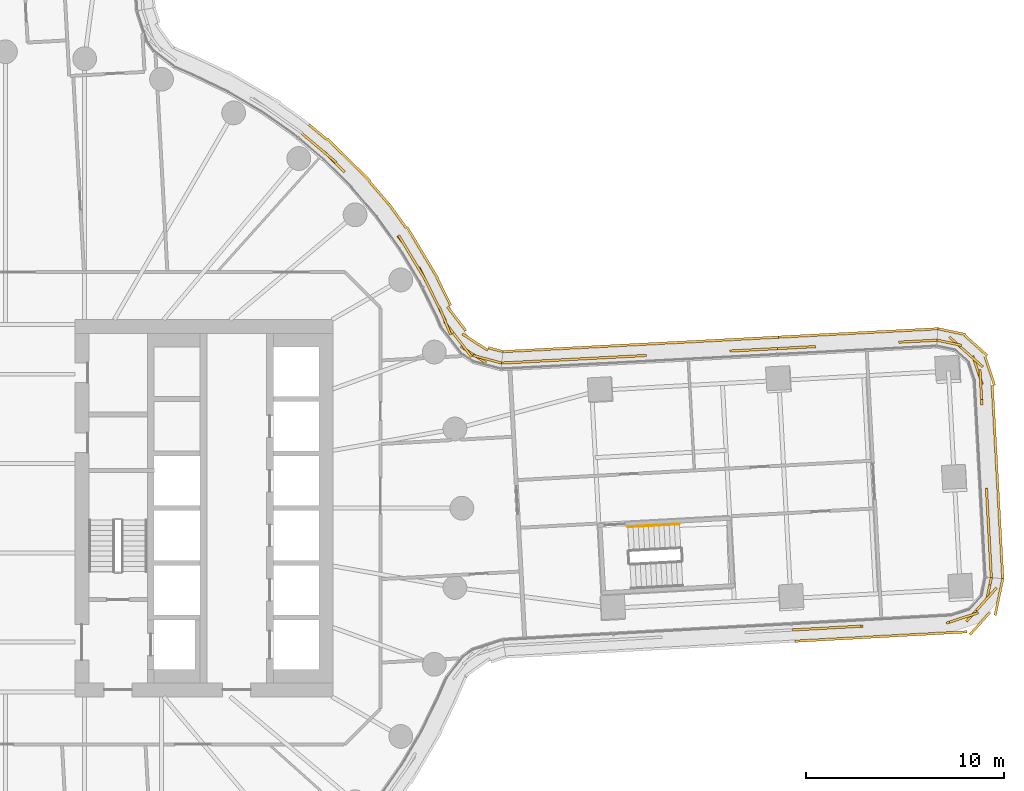
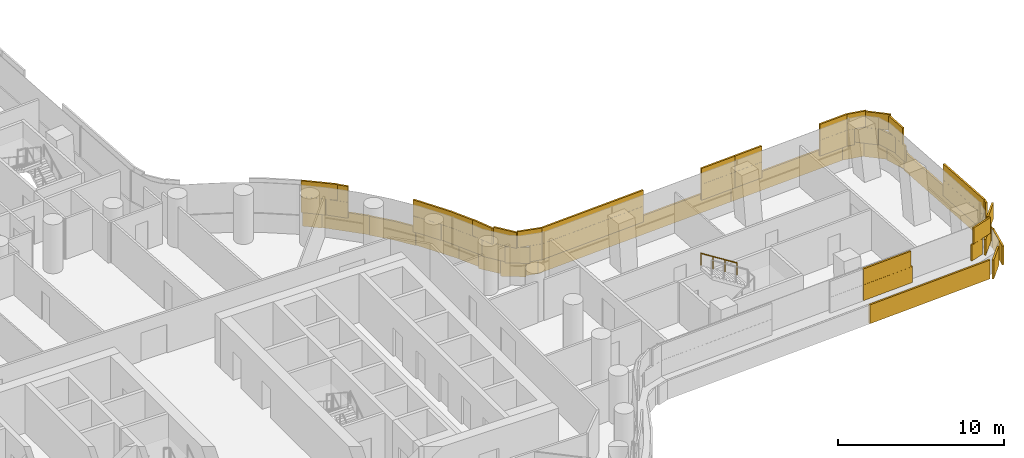
# One storey, part 29 of 31: 5 coverings, 1 railing.
"""IFC4 building model written with IfcOpenShell, lengths in metres."""

import ifcopenshell
import ifcopenshell.guid

model = None  # the IFC model being written
_history = None  # IfcOwnerHistory: only IFC2X3 demands one
_inside = {}  # id of a spatial element -> (the spatial element, [elements in it])
_under = {}  # id of a project, library or spatial element -> (it, [spatial elements below it])
_declared = {}  # id of a project -> (the project, [libraries it declares])
_typed = {}  # id of a type object -> (the type object, [elements of that type])
_made_of = {}  # id of a material, layer set ... -> (it, [elements and type objects made of it])


def new_model(schema):
    """Start an empty IFC model of exactly this schema.

    Asked for "IFC4X3", IfcOpenShell would pick the latest addendum, in which some entities
    have other attributes; the version numbers below select the first issue.
    IFC2X3 requires an IfcOwnerHistory on every rooted entity: one is made here for all.
    """
    global model, _history
    if schema == "IFC4X3":
        model = ifcopenshell.file(schema_version=(4, 3, 0, 0))
    else:
        model = ifcopenshell.file(schema=schema)
    _inside.clear()
    _under.clear()
    _declared.clear()
    _typed.clear()
    _made_of.clear()
    _history = None
    if model.schema == "IFC2X3":
        org = make("IfcOrganization", Name="unknown")
        user = make(
            "IfcPersonAndOrganization",
            ThePerson=make("IfcPerson", FamilyName="unknown"),
            TheOrganization=org,
        )
        app = make(
            "IfcApplication",
            ApplicationDeveloper=org,
            Version="unknown",
            ApplicationFullName="unknown",
            ApplicationIdentifier="unknown",
        )
        _history = make(
            "IfcOwnerHistory",
            OwningUser=user,
            OwningApplication=app,
            ChangeAction="ADDED",
            CreationDate=0,
        )
    return model


def make(cls, **values):
    """One entity of the class cls with the attributes given. An attribute that is None is left unset."""
    return model.create_entity(
        cls, **{name: value for name, value in values.items() if value is not None}
    )


def rooted(cls, **values):
    """An entity with a GlobalId (a new one), such as an element, a storey or a relation."""
    return make(cls, GlobalId=ifcopenshell.guid.new(), OwnerHistory=_history, **values)


def si_unit(unit_type, name, prefix=None):
    """IfcSIUnit, for example si_unit("LENGTHUNIT", "METRE", prefix="MILLI")."""
    return make("IfcSIUnit", UnitType=unit_type, Prefix=prefix, Name=name)


def assignment(units):
    """IfcUnitAssignment: the units of a project."""
    return None if units is None else make("IfcUnitAssignment", Units=units)


def point(xyz):
    """IfcCartesianPoint."""
    return None if xyz is None else make("IfcCartesianPoint", Coordinates=xyz)


def direction(xyz):
    """IfcDirection."""
    return None if xyz is None else make("IfcDirection", DirectionRatios=xyz)


def frame(location, z_axis=None, x_axis=None):
    """IfcAxis2Placement3D, a coordinate frame: its origin and axes. An axis left out is left unset."""
    return make(
        "IfcAxis2Placement3D",
        Location=point(location),
        Axis=direction(z_axis),
        RefDirection=direction(x_axis),
    )


def frame_2d(location, x_axis=None):
    """IfcAxis2Placement2D, a coordinate frame in the plane: its origin and x axis."""
    return make(
        "IfcAxis2Placement2D", Location=point(location), RefDirection=direction(x_axis)
    )


def origin():
    """The frame at (0, 0, 0) with its axes left unset."""
    return frame((0.0, 0.0, 0.0))


def origin_2d():
    """The frame at (0, 0) in the plane with its x axis left unset."""
    return frame_2d((0.0, 0.0))


def place(relative_to, where):
    """IfcLocalPlacement: puts the frame where relative to a parent placement (None: the world)."""
    return make(
        "IfcLocalPlacement", PlacementRelTo=relative_to, RelativePlacement=where
    )


def context(
    kind, dimensions, precision=None, world=None, true_north=None, identifier=None
):
    """IfcGeometricRepresentationContext, for example the 3D "Model" context."""
    return make(
        "IfcGeometricRepresentationContext",
        ContextIdentifier=identifier,
        ContextType=kind,
        CoordinateSpaceDimension=dimensions,
        Precision=precision,
        WorldCoordinateSystem=world,
        TrueNorth=true_north,
    )


def subcontext(parent, identifier, kind, view, scale=None):
    """IfcGeometricRepresentationSubContext, for example "Body" below "Model"."""
    return make(
        "IfcGeometricRepresentationSubContext",
        ContextIdentifier=identifier,
        ContextType=kind,
        ParentContext=parent,
        TargetScale=scale,
        TargetView=view,
    )


def project(units=None, contexts=None):
    """IfcProject with its units and contexts."""
    return rooted(
        "IfcProject",
        Name="project",
        RepresentationContexts=contexts,
        UnitsInContext=assignment(units),
    )


def spatial(cls, under=None, at=None, **own):
    """A site, building, storey or space (cls), placed at a placement, below another one or the project."""
    s = rooted(cls, ObjectPlacement=at, **own)
    if under is not None:
        _under.setdefault(under.id(), (under, []))[1].append(s)
    return s


def profile(cls, at=None, kind="AREA", **sizes):
    """A parametric profile (cls). Its sizes go by their IFC names, for example OverallWidth=200.0."""
    return make(cls, ProfileType=kind, Position=at, **sizes)


def rectangle(**sizes):
    """IfcRectangleProfileDef."""
    return profile("IfcRectangleProfileDef", **sizes)


def circle(**sizes):
    """IfcCircleProfileDef."""
    return profile("IfcCircleProfileDef", **sizes)


def extrude(swept, where, along, depth):
    """IfcExtrudedAreaSolid: the profile swept, set in the frame where, extruded along a direction by depth."""
    return make(
        "IfcExtrudedAreaSolid",
        SweptArea=swept,
        Position=where,
        ExtrudedDirection=direction(along),
        Depth=depth,
    )


def shape(context_of_items, identifier, shape_type, items):
    """IfcShapeRepresentation: the items that make up one representation, for example the "Body"."""
    return make(
        "IfcShapeRepresentation",
        ContextOfItems=context_of_items,
        RepresentationIdentifier=identifier,
        RepresentationType=shape_type,
        Items=items,
    )


def material(Name=None, Category=None):
    """IfcMaterial."""
    return make("IfcMaterial", Name=Name, Category=Category)


def layer(
    of_material, thickness, ventilated=None, Name=None, Category=None, Priority=None
):
    """IfcMaterialLayer: one layer of a wall or slab, of a material (None: an air gap)."""
    return make(
        "IfcMaterialLayer",
        Material=of_material,
        LayerThickness=thickness,
        IsVentilated=ventilated,
        Name=Name,
        Category=Category,
        Priority=Priority,
    )


def layer_set(layers, Name=None):
    """IfcMaterialLayerSet."""
    return make("IfcMaterialLayerSet", MaterialLayers=layers, LayerSetName=Name)


def made_of(thing, what):
    """Note that an element or type object is made of a material, layer set ...; save() writes the relation."""
    if what is not None:
        _made_of.setdefault(what.id(), (what, []))[1].append(thing)
    return thing


def type_object(cls, material=None, **own):
    """A type object (cls), such as IfcWallType, which elements share."""
    return made_of(rooted(cls, **own), material)


def element(
    cls,
    number,
    at=None,
    inside=None,
    cuts=None,
    type_object=None,
    material=None,
    context=None,
    identifier="Body",
    shape_type=None,
    held_by="IfcProductDefinitionShape",
    body=None,
    shapes=None,
    **own,
):
    """One element of the class cls, such as IfcWall. Its Tag is "e" and its number.

    at: its placement. inside: the storey or other place that contains it. cuts: it is an
    opening in that element (IfcRelVoidsElement). A single representation is given by context,
    identifier, shape_type and body (its items); several are given by shapes. held_by: the class
    of the entity that holds the representations. save() writes the other relations.
    """
    e = rooted(cls, Tag="e%d" % number, ObjectPlacement=at, **own)
    if body is not None:
        shapes = [shape(context, identifier, shape_type, body)]
    if shapes is not None:
        e.Representation = make(held_by, Representations=shapes)
    if inside is not None:
        _inside.setdefault(inside.id(), (inside, []))[1].append(e)
    if cuts is not None:
        rooted(
            "IfcRelVoidsElement", RelatingBuildingElement=cuts, RelatedOpeningElement=e
        )
    if type_object is not None:
        _typed.setdefault(type_object.id(), (type_object, []))[1].append(e)
    return made_of(e, material)


def aggregate(whole, parts):
    """IfcRelAggregates: a whole, such as a stair, and the parts it consists of."""
    return rooted("IfcRelAggregates", RelatingObject=whole, RelatedObjects=parts)


def save(model, path):
    """Write the relations noted so far, then the file.

    IfcRelAggregates (storeys below a building ...), IfcRelContainedInSpatialStructure (elements
    in a storey), IfcRelDefinesByType, IfcRelAssociatesMaterial and IfcRelDeclares: one each for
    every whole, place, type object, material and project.
    """
    for whole, parts in _under.values():
        aggregate(whole, parts)
    for where, things in _inside.values():
        rooted(
            "IfcRelContainedInSpatialStructure",
            RelatedElements=things,
            RelatingStructure=where,
        )
    for kind, things in _typed.values():
        rooted("IfcRelDefinesByType", RelatedObjects=things, RelatingType=kind)
    for what, things in _made_of.values():
        rooted("IfcRelAssociatesMaterial", RelatedObjects=things, RelatingMaterial=what)
    for by, libraries in _declared.values():
        rooted("IfcRelDeclares", RelatingContext=by, RelatedDefinitions=libraries)
    model.write(path)


model = new_model("IFC4")

# Units and contexts
model_context = context("Model", 3, precision=1e-05, world=origin(), true_north=direction((0.0, 1.0)))
body_context = subcontext(model_context, "Body", "Model", "MODEL_VIEW")
ifc_project = project(units=[si_unit("LENGTHUNIT", "METRE"), si_unit("AREAUNIT", "SQUARE_METRE"), si_unit("VOLUMEUNIT", "CUBIC_METRE"), si_unit("PLANEANGLEUNIT", "RADIAN"), si_unit("MASSUNIT", "GRAM", prefix="KILO")], contexts=[model_context])

# Site, building, storey
site_placement = place(None, origin())
site = spatial("IfcSite", under=ifc_project, at=site_placement, CompositionType="ELEMENT")
building_placement = place(site_placement, origin())
building = spatial("IfcBuilding", under=site, at=building_placement, Name="Tamarind Cross Interchange Tower", CompositionType="ELEMENT")
storey_placement = place(building_placement, frame((0.0, 0.0, 45.25)))
storey = spatial("IfcBuildingStorey", under=building, at=storey_placement, Name="L09", CompositionType="ELEMENT", Elevation=45.25)

# Railing
ifc_material_1 = material(Name="Stair handrail")
railing_type = type_object("IfcRailingType", Name="Stair handrail", PredefinedType="HANDRAIL", material=ifc_material_1)
railing_placement = place(storey_placement, frame((33.96142578125, -0.797119140625, 2.04541015625)))
element("IfcRailing", 1, at=railing_placement, inside=storey, type_object=railing_type, Name="L09 ST3 stair handrail 2", PredefinedType="HANDRAIL", context=body_context, shape_type="SweptSolid", body=[
    extrude(circle(Radius=0.02392578125, at=origin_2d()), frame((0.0, 0.0, 0.8759765625), z_axis=(-0.835026710891, -0.04570540259, 0.54830776784), x_axis=(0.054653449926, -0.998505383266, 0.0)), (0.0, 0.0, 1.0), 3.10888671875),
    extrude(circle(Radius=0.02099609375, at=origin_2d()), origin(), (0.0, 0.0, 1.0), 0.851806640625),
    extrude(circle(Radius=0.02099609375, at=origin_2d()), frame((-0.865234375, -0.04736328125, 0.568115234375)), (0.0, 0.0, 1.0), 0.851806640625),
    extrude(circle(Radius=0.02099609375, at=origin_2d()), frame((-1.730712890625, -0.0947265625, 1.136474609375)), (0.0, 0.0, 1.0), 0.851806640625),
    extrude(circle(Radius=0.02099609375, at=origin_2d()), frame((-2.595947265625, -0.14208984375, 1.70458984375)), (0.0, 0.0, 1.0), 0.851806640625),
])

# Coverings
ifc_material_2 = material(Name="Terracotta", Category="masonry")
ifc_layer = layer(ifc_material_2, 0.1201171875)
ifc_layer_set = layer_set([ifc_layer], Name="Terracotta")
covering_type = type_object("IfcCoveringType", Name="Terracotta baguette screen unit", PredefinedType="MOLDING", material=ifc_layer_set)
covering_1_placement = place(storey_placement, origin())
element("IfcCovering", 2, at=covering_1_placement, inside=storey, type_object=covering_type, Name="SCR-L09-07-01", PredefinedType="MOLDING", context=body_context, shape_type="SweptSolid", body=[
    extrude(rectangle(XDim=1.1796875, YDim=0.1201171875, at=origin_2d()), frame((40.257568359375, -6.100830078125, 1.404052734375), z_axis=(0.0, 0.0, 1.0), x_axis=(0.998504021801, 0.054678317891, 0.0)), (0.0, 0.0, 1.0), 1.1669921875),
    extrude(rectangle(XDim=1.52001953125, YDim=0.1201171875, at=origin_2d()), frame((41.59033203125, -6.02783203125, 1.404052734375), z_axis=(0.0, 0.0, 1.0), x_axis=(0.998504021801, 0.054678317891, 0.0)), (0.0, 0.0, 1.0), 1.1669921875),
    extrude(rectangle(XDim=0.881103515625, YDim=0.1201171875, at=origin_2d()), frame((42.774169921875, -5.963134765625, 1.404052734375), z_axis=(0.0, 0.0, 1.0), x_axis=(0.998504021801, 0.054678317891, 0.0)), (0.0, 0.0, 1.0), 1.1669921875),
    extrude(rectangle(XDim=0.93896484375, YDim=0.1201171875, at=origin_2d()), frame((47.859375, -5.645751953125, 1.404052734375), z_axis=(0.0, 0.0, 1.0), x_axis=(0.950329032287, 0.311247056843, 0.0)), (0.0, 0.0, 1.0), 1.1669921875),
    extrude(rectangle(XDim=1.52001953125, YDim=0.1201171875, at=origin_2d()), frame((48.9306640625, -5.140625, 1.404052734375), z_axis=(0.0, 0.0, 1.0), x_axis=(0.667385555493, 0.744712374222, 0.0)), (0.0, 0.0, 1.0), 1.1669921875),
    extrude(rectangle(XDim=1.121826171875, YDim=0.1201171875, at=origin_2d()), frame((49.564208984375, -4.047607421875, 1.404052734375), z_axis=(0.0, 0.0, 1.0), x_axis=(0.205616658064, 0.978632612335, 0.0)), (0.0, 0.0, 1.0), 1.1669921875),
    extrude(rectangle(XDim=0.4296875, YDim=0.1201171875, at=origin_2d()), frame((39.883056640625, -6.121337890625, 2.5791015625), z_axis=(0.0, 0.0, 1.0), x_axis=(0.998504021801, 0.054678317891, 0.0)), (0.0, 0.0, 1.0), 1.1669921875),
    extrude(rectangle(XDim=1.52001953125, YDim=0.1201171875, at=origin_2d()), frame((40.841552734375, -6.06884765625, 2.5791015625), z_axis=(0.0, 0.0, 1.0), x_axis=(0.998504021801, 0.054678317891, 0.0)), (0.0, 0.0, 1.0), 1.1669921875),
    extrude(rectangle(XDim=1.52001953125, YDim=0.1201171875, at=origin_2d()), frame((42.33935546875, -5.98681640625, 2.5791015625), z_axis=(0.0, 0.0, 1.0), x_axis=(0.998504021801, 0.054678317891, 0.0)), (0.0, 0.0, 1.0), 1.1669921875),
    extrude(rectangle(XDim=1.52001953125, YDim=0.1201171875, at=origin_2d()), frame((48.30078125, -5.501220703125, 2.5791015625), z_axis=(0.0, 0.0, 1.0), x_axis=(0.950329032287, 0.311247056843, 0.0)), (0.0, 0.0, 1.0), 1.1669921875),
    extrude(rectangle(XDim=1.52001953125, YDim=0.1201171875, at=origin_2d()), frame((49.43115234375, -4.582275390625, 2.5791015625), z_axis=(0.0, 0.0, 1.0), x_axis=(0.667385555493, 0.744712374222, 0.0)), (0.0, 0.0, 1.0), 1.1669921875),
    extrude(rectangle(XDim=0.371826171875, YDim=0.1201171875, at=origin_2d()), frame((49.64111328125, -3.6806640625, 2.5791015625), z_axis=(0.0, 0.0, 1.0), x_axis=(0.205616658064, 0.978632612335, 0.0)), (0.0, 0.0, 1.0), 1.1669921875),
    extrude(rectangle(XDim=1.179443359375, YDim=0.1201171875, at=origin_2d()), frame((40.368896484375, -6.669677734375, 0.00390625), z_axis=(0.0, 0.0, 1.0), x_axis=(0.998504021801, 0.054678317891, 0.0)), (0.0, 0.0, 1.0), 1.39208984375),
    extrude(rectangle(XDim=1.52001953125, YDim=0.1201171875, at=origin_2d()), frame((41.69677734375, -6.596923828125, 0.00390625), z_axis=(0.0, 0.0, 1.0), x_axis=(0.998504021801, 0.054678317891, 0.0)), (0.0, 0.0, 1.0), 1.39208984375),
    extrude(rectangle(XDim=1.52001953125, YDim=0.1201171875, at=origin_2d()), frame((43.194580078125, -6.514892578125, 0.00390625), z_axis=(0.0, 0.0, 1.0), x_axis=(0.998504021801, 0.054678317891, 0.0)), (0.0, 0.0, 1.0), 1.39208984375),
    extrude(rectangle(XDim=1.52001953125, YDim=0.1201171875, at=origin_2d()), frame((44.692138671875, -6.432861328125, 0.00390625), z_axis=(0.0, 0.0, 1.0), x_axis=(0.998504021801, 0.054678317891, 0.0)), (0.0, 0.0, 1.0), 1.39208984375),
    extrude(rectangle(XDim=1.52001953125, YDim=0.1201171875, at=origin_2d()), frame((46.18994140625, -6.350830078125, 0.00390625), z_axis=(0.0, 0.0, 1.0), x_axis=(0.998504021801, 0.054678317891, 0.0)), (0.0, 0.0, 1.0), 1.39208984375),
    extrude(rectangle(XDim=1.52001953125, YDim=0.1201171875, at=origin_2d()), frame((47.687744140625, -6.268798828125, 0.00390625), z_axis=(0.0, 0.0, 1.0), x_axis=(0.998504021801, 0.054678317891, 0.0)), (0.0, 0.0, 1.0), 1.39208984375),
    extrude(rectangle(XDim=1.52001953125, YDim=0.1201171875, at=origin_2d()), frame((49.10205078125, -5.8095703125, 0.00390625), z_axis=(0.0, 0.0, 1.0), x_axis=(0.667385555493, 0.744712374222, 0.0)), (0.0, 0.0, 1.0), 1.39208984375),
    extrude(rectangle(XDim=1.52001953125, YDim=0.1201171875, at=origin_2d()), frame((50.023681640625, -4.65234375, 0.00390625), z_axis=(0.0, 0.0, 1.0), x_axis=(0.205616658064, 0.978632612335, 0.0)), (0.0, 0.0, 1.0), 1.39208984375),
    extrude(rectangle(XDim=0.388671875, YDim=0.1201171875, at=origin_2d()), frame((50.2158203125, -3.738037109375, 0.00390625), z_axis=(0.0, 0.0, 1.0), x_axis=(0.205616658064, 0.978632612335, 0.0)), (0.0, 0.0, 1.0), 1.39208984375),
])
covering_2_placement = place(storey_placement, origin())
element("IfcCovering", 3, at=covering_2_placement, inside=storey, type_object=covering_type, Name="SCR-L09-08-00", PredefinedType="MOLDING", context=body_context, shape_type="SweptSolid", body=[
    extrude(rectangle(XDim=0.760009765625, YDim=0.1201171875, at=origin_2d()), frame((49.657958984375, -3.129150390625, 1.404052734375), z_axis=(0.0, 0.0, 1.0), x_axis=(-0.054678317891, 0.998504021801, 0.0)), (0.0, 0.0, 1.0), 1.1669921875),
    extrude(rectangle(XDim=1.52001953125, YDim=0.1201171875, at=origin_2d()), frame((49.596435546875, -2.005859375, 1.404052734375), z_axis=(0.0, 0.0, 1.0), x_axis=(-0.054678317891, 0.998504021801, 0.0)), (0.0, 0.0, 1.0), 1.1669921875),
    extrude(rectangle(XDim=1.52001953125, YDim=0.1201171875, at=origin_2d()), frame((49.514404296875, -0.508056640625, 1.404052734375), z_axis=(0.0, 0.0, 1.0), x_axis=(-0.054678317891, 0.998504021801, 0.0)), (0.0, 0.0, 1.0), 1.1669921875),
    extrude(rectangle(XDim=0.784912109375, YDim=0.1201171875, at=origin_2d()), frame((49.4521484375, 0.62744140625, 1.404052734375), z_axis=(0.0, 0.0, 1.0), x_axis=(-0.054678317891, 0.998504021801, 0.0)), (0.0, 0.0, 1.0), 1.1669921875),
    extrude(rectangle(XDim=1.03515625, YDim=0.1201171875, at=origin_2d()), frame((49.17333984375, 5.719970703125, 1.404052734375), z_axis=(0.0, 0.0, 1.0), x_axis=(-0.054678317891, 0.998504021801, 0.0)), (0.0, 0.0, 1.0), 1.1669921875),
    extrude(rectangle(XDim=1.52001953125, YDim=0.1201171875, at=origin_2d()), frame((48.982177734375, 6.957763671875, 1.404052734375), z_axis=(0.0, 0.0, 1.0), x_axis=(-0.311247056843, 0.950329032287, 0.0)), (0.0, 0.0, 1.0), 1.1669921875),
    extrude(rectangle(XDim=1.52001953125, YDim=0.1201171875, at=origin_2d()), frame((48.122802734375, 8.127197265625, 1.404052734375), z_axis=(0.0, 0.0, 1.0), x_axis=(-0.744712374222, 0.667385555493, 0.0)), (0.0, 0.0, 1.0), 1.1669921875),
    extrude(rectangle(XDim=0.509521484375, YDim=0.1201171875, at=origin_2d()), frame((47.186279296875, 8.4150390625, 1.404052734375), z_axis=(0.0, 0.0, 1.0), x_axis=(-0.978632612335, 0.205616658064, 0.0)), (0.0, 0.0, 1.0), 1.1669921875),
    extrude(rectangle(XDim=1.510009765625, YDim=0.1201171875, at=origin_2d()), frame((49.637451171875, -2.7548828125, 2.5791015625), z_axis=(0.0, 0.0, 1.0), x_axis=(-0.054678317891, 0.998504021801, 0.0)), (0.0, 0.0, 1.0), 1.1669921875),
    extrude(rectangle(XDim=1.52001953125, YDim=0.1201171875, at=origin_2d()), frame((49.555419921875, -1.257080078125, 2.5791015625), z_axis=(0.0, 0.0, 1.0), x_axis=(-0.054678317891, 0.998504021801, 0.0)), (0.0, 0.0, 1.0), 1.1669921875),
    extrude(rectangle(XDim=1.52001953125, YDim=0.1201171875, at=origin_2d()), frame((49.473388671875, 0.24072265625, 2.5791015625), z_axis=(0.0, 0.0, 1.0), x_axis=(-0.054678317891, 0.998504021801, 0.0)), (0.0, 0.0, 1.0), 1.1669921875),
    extrude(rectangle(XDim=1.52001953125, YDim=0.1201171875, at=origin_2d()), frame((49.145263671875, 6.231689453125, 2.5791015625), z_axis=(0.0, 0.0, 1.0), x_axis=(-0.054678317891, 0.998504021801, 0.0)), (0.0, 0.0, 1.0), 1.1669921875),
    extrude(rectangle(XDim=1.52001953125, YDim=0.1201171875, at=origin_2d()), frame((48.681396484375, 7.62646484375, 2.5791015625), z_axis=(0.0, 0.0, 1.0), x_axis=(-0.744712374222, 0.667385555493, 0.0)), (0.0, 0.0, 1.0), 1.1669921875),
    extrude(rectangle(XDim=1.259521484375, YDim=0.1201171875, at=origin_2d()), frame((47.55322265625, 8.337890625, 2.5791015625), z_axis=(0.0, 0.0, 1.0), x_axis=(-0.978632612335, 0.205616658064, 0.0)), (0.0, 0.0, 1.0), 1.1669921875),
    extrude(rectangle(XDim=0.760009765625, YDim=0.1201171875, at=origin_2d()), frame((50.23486328125, -3.168212890625, 0.00390625), z_axis=(0.0, 0.0, 1.0), x_axis=(-0.054678317891, 0.998504021801, 0.0)), (0.0, 0.0, 1.0), 1.39208984375),
    extrude(rectangle(XDim=1.52001953125, YDim=0.1201171875, at=origin_2d()), frame((50.173583984375, -2.050048828125, 0.00390625), z_axis=(0.0, 0.0, 1.0), x_axis=(-0.054678317891, 0.998504021801, 0.0)), (0.0, 0.0, 1.0), 1.39208984375),
    extrude(rectangle(XDim=1.52001953125, YDim=0.1201171875, at=origin_2d()), frame((50.091552734375, -0.55224609375, 0.00390625), z_axis=(0.0, 0.0, 1.0), x_axis=(-0.054678317891, 0.998504021801, 0.0)), (0.0, 0.0, 1.0), 1.39208984375),
    extrude(rectangle(XDim=1.52001953125, YDim=0.1201171875, at=origin_2d()), frame((50.009765625, 0.945556640625, 0.00390625), z_axis=(0.0, 0.0, 1.0), x_axis=(-0.054678317891, 0.998504021801, 0.0)), (0.0, 0.0, 1.0), 1.39208984375),
    extrude(rectangle(XDim=1.52001953125, YDim=0.1201171875, at=origin_2d()), frame((49.927734375, 2.443359375, 0.00390625), z_axis=(0.0, 0.0, 1.0), x_axis=(-0.054678317891, 0.998504021801, 0.0)), (0.0, 0.0, 1.0), 1.39208984375),
    extrude(rectangle(XDim=1.52001953125, YDim=0.1201171875, at=origin_2d()), frame((49.845703125, 3.94091796875, 0.00390625), z_axis=(0.0, 0.0, 1.0), x_axis=(-0.054678317891, 0.998504021801, 0.0)), (0.0, 0.0, 1.0), 1.39208984375),
    extrude(rectangle(XDim=1.52001953125, YDim=0.1201171875, at=origin_2d()), frame((49.763671875, 5.438720703125, 0.00390625), z_axis=(0.0, 0.0, 1.0), x_axis=(-0.054678317891, 0.998504021801, 0.0)), (0.0, 0.0, 1.0), 1.39208984375),
    extrude(rectangle(XDim=1.52001953125, YDim=0.1201171875, at=origin_2d()), frame((49.59814453125, 6.9208984375, 0.00390625), z_axis=(0.0, 0.0, 1.0), x_axis=(-0.311247056843, 0.950329032287, 0.0)), (0.0, 0.0, 1.0), 1.39208984375),
    extrude(rectangle(XDim=1.52001953125, YDim=0.1201171875, at=origin_2d()), frame((48.90380859375, 8.197998046875, 0.00390625), z_axis=(0.0, 0.0, 1.0), x_axis=(-0.744712374222, 0.667385555493, 0.0)), (0.0, 0.0, 1.0), 1.39208984375),
    extrude(rectangle(XDim=1.426513671875, YDim=0.1201171875, at=origin_2d()), frame((47.684326171875, 8.89697265625, 0.00390625), z_axis=(0.0, 0.0, 1.0), x_axis=(-0.978632612335, 0.205616658064, 0.0)), (0.0, 0.0, 1.0), 1.39208984375),
])
covering_3_placement = place(storey_placement, origin())
element("IfcCovering", 4, at=covering_3_placement, inside=storey, type_object=covering_type, Name="SCR-L09-09-00", PredefinedType="MOLDING", context=body_context, shape_type="SweptSolid", body=[
    extrude(rectangle(XDim=0.760009765625, YDim=0.1201171875, at=origin_2d()), frame((46.5673828125, 8.44677734375, 1.404052734375), z_axis=(0.0, 0.0, 1.0), x_axis=(-0.998622085659, -0.052477900426, 0.0)), (0.0, 0.0, 1.0), 1.1669921875),
    extrude(rectangle(XDim=1.187255859375, YDim=0.1201171875, at=origin_2d()), frame((45.60498046875, 8.396240234375, 1.404052734375), z_axis=(0.0, 0.0, 1.0), x_axis=(-0.998622085659, -0.052477900426, 0.0)), (0.0, 0.0, 1.0), 1.1669921875),
    extrude(rectangle(XDim=0.6328125, YDim=0.1201171875, at=origin_2d()), frame((40.511962890625, 8.12841796875, 1.404052734375), z_axis=(0.0, 0.0, 1.0), x_axis=(-0.998622085659, -0.052477900426, 0.0)), (0.0, 0.0, 1.0), 1.1669921875),
    extrude(rectangle(XDim=1.314453125, YDim=0.1201171875, at=origin_2d()), frame((39.5498046875, 8.077880859375, 1.404052734375), z_axis=(0.0, 0.0, 1.0), x_axis=(-0.998622085659, -0.052477900426, 0.0)), (0.0, 0.0, 1.0), 1.1669921875),
    extrude(rectangle(XDim=1.510009765625, YDim=0.1201171875, at=origin_2d()), frame((46.19287109375, 8.427001953125, 2.5791015625), z_axis=(0.0, 0.0, 1.0), x_axis=(-0.998622085659, -0.052477900426, 0.0)), (0.0, 0.0, 1.0), 1.1669921875),
    extrude(rectangle(XDim=0.437255859375, YDim=0.1201171875, at=origin_2d()), frame((45.23046875, 8.37646484375, 2.5791015625), z_axis=(0.0, 0.0, 1.0), x_axis=(-0.998622085659, -0.052477900426, 0.0)), (0.0, 0.0, 1.0), 1.1669921875),
    extrude(rectangle(XDim=1.3828125, YDim=0.1201171875, at=origin_2d()), frame((40.137451171875, 8.10888671875, 2.5791015625), z_axis=(0.0, 0.0, 1.0), x_axis=(-0.998622085659, -0.052477900426, 0.0)), (0.0, 0.0, 1.0), 1.1669921875),
    extrude(rectangle(XDim=0.564453125, YDim=0.1201171875, at=origin_2d()), frame((39.17529296875, 8.058349609375, 2.5791015625), z_axis=(0.0, 0.0, 1.0), x_axis=(-0.998622085659, -0.052477900426, 0.0)), (0.0, 0.0, 1.0), 1.1669921875),
    extrude(rectangle(XDim=0.760009765625, YDim=0.1201171875, at=origin_2d()), frame((46.60693359375, 9.023681640625, 0.00390625), z_axis=(0.0, 0.0, 1.0), x_axis=(-0.998622085659, -0.052477900426, 0.0)), (0.0, 0.0, 1.0), 1.39208984375),
    extrude(rectangle(XDim=1.52001953125, YDim=0.1201171875, at=origin_2d()), frame((45.488525390625, 8.96484375, 0.00390625), z_axis=(0.0, 0.0, 1.0), x_axis=(-0.998622085659, -0.052477900426, 0.0)), (0.0, 0.0, 1.0), 1.39208984375),
    extrude(rectangle(XDim=1.52001953125, YDim=0.1201171875, at=origin_2d()), frame((43.99072265625, 8.88623046875, 0.00390625), z_axis=(0.0, 0.0, 1.0), x_axis=(-0.998622085659, -0.052477900426, 0.0)), (0.0, 0.0, 1.0), 1.39208984375),
    extrude(rectangle(XDim=1.52001953125, YDim=0.1201171875, at=origin_2d()), frame((42.49267578125, 8.807373046875, 0.00390625), z_axis=(0.0, 0.0, 1.0), x_axis=(-0.998622085659, -0.052477900426, 0.0)), (0.0, 0.0, 1.0), 1.39208984375),
    extrude(rectangle(XDim=1.52001953125, YDim=0.1201171875, at=origin_2d()), frame((40.99462890625, 8.728759765625, 0.00390625), z_axis=(0.0, 0.0, 1.0), x_axis=(-0.998622085659, -0.052477900426, 0.0)), (0.0, 0.0, 1.0), 1.39208984375),
    extrude(rectangle(XDim=1.30908203125, YDim=0.1201171875, at=origin_2d()), frame((39.60205078125, 8.655517578125, 0.00390625), z_axis=(0.0, 0.0, 1.0), x_axis=(-0.998622085659, -0.052477900426, 0.0)), (0.0, 0.0, 1.0), 1.39208984375),
])
covering_4_placement = place(storey_placement, origin())
element("IfcCovering", 5, at=covering_4_placement, inside=storey, type_object=covering_type, Name="SCR-L09-09-01", PredefinedType="MOLDING", context=body_context, shape_type="SweptSolid", body=[
    extrude(rectangle(XDim=0.20556640625, YDim=0.1201171875, at=origin_2d()), frame((38.80078125, 8.03857421875, 1.404052734375), z_axis=(0.0, 0.0, 1.0), x_axis=(-0.998622085659, -0.052477900426, 0.0)), (0.0, 0.0, 1.0), 1.1669921875),
    extrude(rectangle(XDim=1.52001953125, YDim=0.1201171875, at=origin_2d()), frame((37.9541015625, 7.994140625, 1.404052734375), z_axis=(0.0, 0.0, 1.0), x_axis=(-0.998622085659, -0.052477900426, 0.0)), (0.0, 0.0, 1.0), 1.1669921875),
    extrude(rectangle(XDim=0.714111328125, YDim=0.1201171875, at=origin_2d()), frame((36.853759765625, 7.936279296875, 1.404052734375), z_axis=(0.0, 0.0, 1.0), x_axis=(-0.998622085659, -0.052477900426, 0.0)), (0.0, 0.0, 1.0), 1.1669921875),
    extrude(rectangle(XDim=1.10595703125, YDim=0.1201171875, at=origin_2d()), frame((31.7607421875, 7.668701171875, 1.404052734375), z_axis=(0.0, 0.0, 1.0), x_axis=(-0.998622085659, -0.052477900426, 0.0)), (0.0, 0.0, 1.0), 1.1669921875),
    extrude(rectangle(XDim=1.52001953125, YDim=0.1201171875, at=origin_2d()), frame((30.464599609375, 7.6005859375, 1.404052734375), z_axis=(0.0, 0.0, 1.0), x_axis=(-0.998622085659, -0.052477900426, 0.0)), (0.0, 0.0, 1.0), 1.1669921875),
    extrude(rectangle(XDim=1.52001953125, YDim=0.1201171875, at=origin_2d()), frame((28.966552734375, 7.521728515625, 1.404052734375), z_axis=(0.0, 0.0, 1.0), x_axis=(-0.998622085659, -0.052477900426, 0.0)), (0.0, 0.0, 1.0), 1.1669921875),
    extrude(rectangle(XDim=1.52001953125, YDim=0.1201171875, at=origin_2d()), frame((27.46875, 7.443115234375, 1.404052734375), z_axis=(0.0, 0.0, 1.0), x_axis=(-0.998622085659, -0.052477900426, 0.0)), (0.0, 0.0, 1.0), 1.1669921875),
    extrude(rectangle(XDim=1.52001953125, YDim=0.1201171875, at=origin_2d()), frame((25.970703125, 7.3642578125, 1.404052734375), z_axis=(0.0, 0.0, 1.0), x_axis=(-0.998622085659, -0.052477900426, 0.0)), (0.0, 0.0, 1.0), 1.1669921875),
    extrude(rectangle(XDim=0.221435546875, YDim=0.1201171875, at=origin_2d()), frame((25.1162109375, 7.319580078125, 1.404052734375), z_axis=(0.0, 0.0, 1.0), x_axis=(-0.998622085659, -0.052477900426, 0.0)), (0.0, 0.0, 1.0), 1.1669921875),
    extrude(rectangle(XDim=0.95556640625, YDim=0.1201171875, at=origin_2d()), frame((38.42626953125, 8.018798828125, 2.5791015625), z_axis=(0.0, 0.0, 1.0), x_axis=(-0.998622085659, -0.052477900426, 0.0)), (0.0, 0.0, 1.0), 1.1669921875),
    extrude(rectangle(XDim=1.464111328125, YDim=0.1201171875, at=origin_2d()), frame((37.228271484375, 7.9560546875, 2.5791015625), z_axis=(0.0, 0.0, 1.0), x_axis=(-0.998622085659, -0.052477900426, 0.0)), (0.0, 0.0, 1.0), 1.1669921875),
    extrude(rectangle(XDim=0.35595703125, YDim=0.1201171875, at=origin_2d()), frame((32.13525390625, 7.688232421875, 2.5791015625), z_axis=(0.0, 0.0, 1.0), x_axis=(-0.998622085659, -0.052477900426, 0.0)), (0.0, 0.0, 1.0), 1.1669921875),
    extrude(rectangle(XDim=1.52001953125, YDim=0.1201171875, at=origin_2d()), frame((31.21337890625, 7.639892578125, 2.5791015625), z_axis=(0.0, 0.0, 1.0), x_axis=(-0.998622085659, -0.052477900426, 0.0)), (0.0, 0.0, 1.0), 1.1669921875),
    extrude(rectangle(XDim=1.52001953125, YDim=0.1201171875, at=origin_2d()), frame((29.715576171875, 7.561279296875, 2.5791015625), z_axis=(0.0, 0.0, 1.0), x_axis=(-0.998622085659, -0.052477900426, 0.0)), (0.0, 0.0, 1.0), 1.1669921875),
    extrude(rectangle(XDim=1.52001953125, YDim=0.1201171875, at=origin_2d()), frame((28.217529296875, 7.482421875, 2.5791015625), z_axis=(0.0, 0.0, 1.0), x_axis=(-0.998622085659, -0.052477900426, 0.0)), (0.0, 0.0, 1.0), 1.1669921875),
    extrude(rectangle(XDim=1.52001953125, YDim=0.1201171875, at=origin_2d()), frame((26.7197265625, 7.40380859375, 2.5791015625), z_axis=(0.0, 0.0, 1.0), x_axis=(-0.998622085659, -0.052477900426, 0.0)), (0.0, 0.0, 1.0), 1.1669921875),
    extrude(rectangle(XDim=0.971435546875, YDim=0.1201171875, at=origin_2d()), frame((25.49072265625, 7.339111328125, 2.5791015625), z_axis=(0.0, 0.0, 1.0), x_axis=(-0.998622085659, -0.052477900426, 0.0)), (0.0, 0.0, 1.0), 1.1669921875),
    extrude(rectangle(XDim=0.2109375, YDim=0.1201171875, at=origin_2d()), frame((38.84326171875, 8.61572265625, 0.00390625), z_axis=(0.0, 0.0, 1.0), x_axis=(-0.998622085659, -0.052477900426, 0.0)), (0.0, 0.0, 1.0), 1.39208984375),
    extrude(rectangle(XDim=1.52001953125, YDim=0.1201171875, at=origin_2d()), frame((37.998779296875, 8.5712890625, 0.00390625), z_axis=(0.0, 0.0, 1.0), x_axis=(-0.998622085659, -0.052477900426, 0.0)), (0.0, 0.0, 1.0), 1.39208984375),
    extrude(rectangle(XDim=1.52001953125, YDim=0.1201171875, at=origin_2d()), frame((36.5009765625, 8.492431640625, 0.00390625), z_axis=(0.0, 0.0, 1.0), x_axis=(-0.998622085659, -0.052477900426, 0.0)), (0.0, 0.0, 1.0), 1.39208984375),
    extrude(rectangle(XDim=1.52001953125, YDim=0.1201171875, at=origin_2d()), frame((35.0029296875, 8.413818359375, 0.00390625), z_axis=(0.0, 0.0, 1.0), x_axis=(-0.998622085659, -0.052477900426, 0.0)), (0.0, 0.0, 1.0), 1.39208984375),
    extrude(rectangle(XDim=1.52001953125, YDim=0.1201171875, at=origin_2d()), frame((33.505126953125, 8.335205078125, 0.00390625), z_axis=(0.0, 0.0, 1.0), x_axis=(-0.998622085659, -0.052477900426, 0.0)), (0.0, 0.0, 1.0), 1.39208984375),
    extrude(rectangle(XDim=1.52001953125, YDim=0.1201171875, at=origin_2d()), frame((32.007080078125, 8.25634765625, 0.00390625), z_axis=(0.0, 0.0, 1.0), x_axis=(-0.998622085659, -0.052477900426, 0.0)), (0.0, 0.0, 1.0), 1.39208984375),
    extrude(rectangle(XDim=1.52001953125, YDim=0.1201171875, at=origin_2d()), frame((30.50927734375, 8.177734375, 0.00390625), z_axis=(0.0, 0.0, 1.0), x_axis=(-0.998622085659, -0.052477900426, 0.0)), (0.0, 0.0, 1.0), 1.39208984375),
    extrude(rectangle(XDim=1.52001953125, YDim=0.1201171875, at=origin_2d()), frame((29.01123046875, 8.098876953125, 0.00390625), z_axis=(0.0, 0.0, 1.0), x_axis=(-0.998622085659, -0.052477900426, 0.0)), (0.0, 0.0, 1.0), 1.39208984375),
    extrude(rectangle(XDim=1.52001953125, YDim=0.1201171875, at=origin_2d()), frame((27.513427734375, 8.020263671875, 0.00390625), z_axis=(0.0, 0.0, 1.0), x_axis=(-0.998622085659, -0.052477900426, 0.0)), (0.0, 0.0, 1.0), 1.39208984375),
    extrude(rectangle(XDim=1.52001953125, YDim=0.1201171875, at=origin_2d()), frame((26.015380859375, 7.94140625, 0.00390625), z_axis=(0.0, 0.0, 1.0), x_axis=(-0.998622085659, -0.052477900426, 0.0)), (0.0, 0.0, 1.0), 1.39208984375),
    extrude(rectangle(XDim=0.206298828125, YDim=0.1201171875, at=origin_2d()), frame((25.17333984375, 7.897216796875, 0.00390625), z_axis=(0.0, 0.0, 1.0), x_axis=(-0.998622085659, -0.052477900426, 0.0)), (0.0, 0.0, 1.0), 1.39208984375),
])
covering_5_placement = place(storey_placement, origin())
element("IfcCovering", 6, at=covering_5_placement, inside=storey, type_object=covering_type, Name="SCR-L09-10-00", PredefinedType="MOLDING", context=body_context, shape_type="SweptSolid", body=[
    extrude(rectangle(XDim=0.760009765625, YDim=0.1201171875, at=origin_2d()), frame((24.64794921875, 7.409912109375, 1.404052734375), z_axis=(0.0, 0.0, 1.0), x_axis=(-0.966733034489, 0.255787489975, 0.0)), (0.0, 0.0, 1.0), 1.1669921875),
    extrude(rectangle(XDim=1.52001953125, YDim=0.1201171875, at=origin_2d()), frame((23.57958984375, 7.740966796875, 1.404052734375), z_axis=(0.0, 0.0, 1.0), x_axis=(-0.840803783361, 0.541340002112, 0.0)), (0.0, 0.0, 1.0), 1.1669921875),
    extrude(rectangle(XDim=1.52001953125, YDim=0.1201171875, at=origin_2d()), frame((22.567138671875, 8.82373046875, 1.404052734375), z_axis=(0.0, 0.0, 1.0), x_axis=(-0.610465817578, 0.79204260338, 0.0)), (0.0, 0.0, 1.0), 1.1669921875),
    extrude(rectangle(XDim=1.52001953125, YDim=0.1201171875, at=origin_2d()), frame((21.840576171875, 10.123779296875, 1.404052734375), z_axis=(0.0, 0.0, 1.0), x_axis=(-0.443058811505, 0.896492548518, 0.0)), (0.0, 0.0, 1.0), 1.1669921875),
    extrude(rectangle(XDim=1.52001953125, YDim=0.1201171875, at=origin_2d()), frame((21.176025390625, 11.46875, 1.404052734375), z_axis=(0.0, 0.0, 1.0), x_axis=(-0.443058811505, 0.896492548518, 0.0)), (0.0, 0.0, 1.0), 1.1669921875),
    extrude(rectangle(XDim=1.52001953125, YDim=0.1201171875, at=origin_2d()), frame((20.40966796875, 12.7578125, 1.404052734375), z_axis=(0.0, 0.0, 1.0), x_axis=(-0.515577308909, 0.856843065292, 0.0)), (0.0, 0.0, 1.0), 1.1669921875),
    extrude(rectangle(XDim=0.4140625, YDim=0.1201171875, at=origin_2d()), frame((19.8935546875, 13.556884765625, 1.404052734375), z_axis=(0.0, 0.0, 1.0), x_axis=(-0.584573890505, 0.811340475102, 0.0)), (0.0, 0.0, 1.0), 1.1669921875),
    extrude(rectangle(XDim=1.40576171875, YDim=0.1201171875, at=origin_2d()), frame((16.596435546875, 17.433837890625, 1.404052734375), z_axis=(0.0, 0.0, 1.0), x_axis=(-0.710143317658, 0.704057148523, 0.0)), (0.0, 0.0, 1.0), 1.1669921875),
    extrude(rectangle(XDim=1.5068359375, YDim=0.1201171875, at=origin_2d()), frame((15.51708984375, 18.394775390625, 1.404052734375), z_axis=(0.0, 0.0, 1.0), x_axis=(-0.765858396687, 0.643009266048, 0.0)), (0.0, 0.0, 1.0), 1.1669921875),
    extrude(rectangle(XDim=1.510009765625, YDim=0.1201171875, at=origin_2d()), frame((24.285400390625, 7.505859375, 2.5791015625), z_axis=(0.0, 0.0, 1.0), x_axis=(-0.966733034489, 0.255787489975, 0.0)), (0.0, 0.0, 1.0), 1.1669921875),
    extrude(rectangle(XDim=1.52001953125, YDim=0.1201171875, at=origin_2d()), frame((23.025146484375, 8.229736328125, 2.5791015625), z_axis=(0.0, 0.0, 1.0), x_axis=(-0.610465817578, 0.79204260338, 0.0)), (0.0, 0.0, 1.0), 1.1669921875),
    extrude(rectangle(XDim=1.52001953125, YDim=0.1201171875, at=origin_2d()), frame((22.14990234375, 9.441162109375, 2.5791015625), z_axis=(0.0, 0.0, 1.0), x_axis=(-0.378208842163, 0.925720298854, 0.0)), (0.0, 0.0, 1.0), 1.1669921875),
    extrude(rectangle(XDim=1.52001953125, YDim=0.1201171875, at=origin_2d()), frame((21.50830078125, 10.796142578125, 2.5791015625), z_axis=(0.0, 0.0, 1.0), x_axis=(-0.443058811505, 0.896492548518, 0.0)), (0.0, 0.0, 1.0), 1.1669921875),
    extrude(rectangle(XDim=1.52001953125, YDim=0.1201171875, at=origin_2d()), frame((20.79638671875, 12.114990234375, 2.5791015625), z_axis=(0.0, 0.0, 1.0), x_axis=(-0.515577308909, 0.856843065292, 0.0)), (0.0, 0.0, 1.0), 1.1669921875),
    extrude(rectangle(XDim=1.1640625, YDim=0.1201171875, at=origin_2d()), frame((20.112060546875, 13.252197265625, 2.5791015625), z_axis=(0.0, 0.0, 1.0), x_axis=(-0.515577308909, 0.856843065292, 0.0)), (0.0, 0.0, 1.0), 1.1669921875),
    extrude(rectangle(XDim=0.65576171875, YDim=0.1201171875, at=origin_2d()), frame((16.86279296875, 17.169921875, 2.5791015625), z_axis=(0.0, 0.0, 1.0), x_axis=(-0.710143317658, 0.704057148523, 0.0)), (0.0, 0.0, 1.0), 1.1669921875),
    extrude(rectangle(XDim=1.52001953125, YDim=0.1201171875, at=origin_2d()), frame((16.09033203125, 17.91357421875, 2.5791015625), z_axis=(0.0, 0.0, 1.0), x_axis=(-0.765858396687, 0.643009266048, 0.0)), (0.0, 0.0, 1.0), 1.1669921875),
    extrude(rectangle(XDim=0.7568359375, YDim=0.1201171875, at=origin_2d()), frame((15.22998046875, 18.635986328125, 2.5791015625), z_axis=(0.0, 0.0, 1.0), x_axis=(-0.765858396687, 0.643009266048, 0.0)), (0.0, 0.0, 1.0), 1.1669921875),
    extrude(rectangle(XDim=0.760009765625, YDim=0.1201171875, at=origin_2d()), frame((24.702880859375, 7.989013671875, 0.00390625), z_axis=(0.0, 0.0, 1.0), x_axis=(-0.966733034489, 0.255787489975, 0.0)), (0.0, 0.0, 1.0), 1.39208984375),
    extrude(rectangle(XDim=1.52001953125, YDim=0.1201171875, at=origin_2d()), frame((23.662109375, 8.370361328125, 0.00390625), z_axis=(0.0, 0.0, 1.0), x_axis=(-0.840803783361, 0.541340002112, 0.0)), (0.0, 0.0, 1.0), 1.39208984375),
    extrude(rectangle(XDim=1.52001953125, YDim=0.1201171875, at=origin_2d()), frame((22.735107421875, 9.546142578125, 0.00390625), z_axis=(0.0, 0.0, 1.0), x_axis=(-0.610465817578, 0.79204260338, 0.0)), (0.0, 0.0, 1.0), 1.39208984375),
    extrude(rectangle(XDim=1.52001953125, YDim=0.1201171875, at=origin_2d()), frame((22.096435546875, 10.90185546875, 0.00390625), z_axis=(0.0, 0.0, 1.0), x_axis=(-0.443058811505, 0.896492548518, 0.0)), (0.0, 0.0, 1.0), 1.39208984375),
    extrude(rectangle(XDim=1.52001953125, YDim=0.1201171875, at=origin_2d()), frame((21.398193359375, 12.228271484375, 0.00390625), z_axis=(0.0, 0.0, 1.0), x_axis=(-0.515577308909, 0.856843065292, 0.0)), (0.0, 0.0, 1.0), 1.39208984375),
    extrude(rectangle(XDim=1.52001953125, YDim=0.1201171875, at=origin_2d()), frame((20.624755859375, 13.513427734375, 0.00390625), z_axis=(0.0, 0.0, 1.0), x_axis=(-0.515577308909, 0.856843065292, 0.0)), (0.0, 0.0, 1.0), 1.39208984375),
    extrude(rectangle(XDim=1.52001953125, YDim=0.1201171875, at=origin_2d()), frame((19.753173828125, 14.73388671875, 0.00390625), z_axis=(0.0, 0.0, 1.0), x_axis=(-0.584573890505, 0.811340475102, 0.0)), (0.0, 0.0, 1.0), 1.39208984375),
    extrude(rectangle(XDim=1.52001953125, YDim=0.1201171875, at=origin_2d()), frame((18.818603515625, 15.905517578125, 0.00390625), z_axis=(0.0, 0.0, 1.0), x_axis=(-0.64957723968, 0.760295606781, 0.0)), (0.0, 0.0, 1.0), 1.39208984375),
    extrude(rectangle(XDim=1.52001953125, YDim=0.1201171875, at=origin_2d()), frame((17.822998046875, 17.0263671875, 0.00390625), z_axis=(0.0, 0.0, 1.0), x_axis=(-0.710143317658, 0.704057148523, 0.0)), (0.0, 0.0, 1.0), 1.39208984375),
    extrude(rectangle(XDim=1.52001953125, YDim=0.1201171875, at=origin_2d()), frame((16.7578125, 18.082275390625, 0.00390625), z_axis=(0.0, 0.0, 1.0), x_axis=(-0.710143317658, 0.704057148523, 0.0)), (0.0, 0.0, 1.0), 1.39208984375),
    extrude(rectangle(XDim=1.1767578125, YDim=0.1201171875, at=origin_2d()), frame((15.7509765625, 18.947998046875, 0.00390625), z_axis=(0.0, 0.0, 1.0), x_axis=(-0.765858396687, 0.643009266048, 0.0)), (0.0, 0.0, 1.0), 1.39208984375),
])

save(model, "model.ifc")
